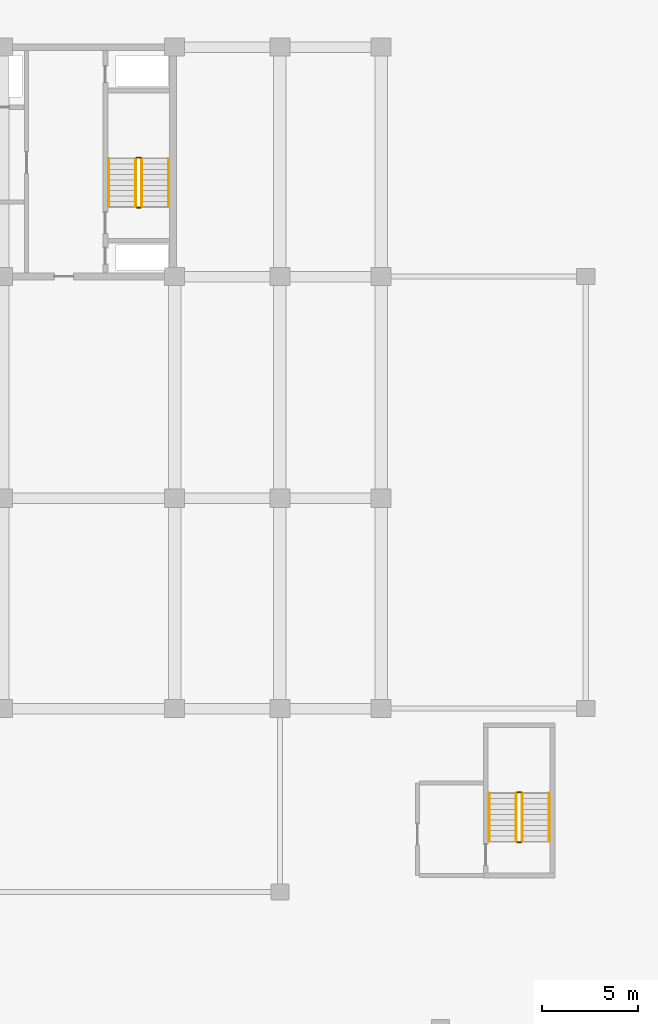
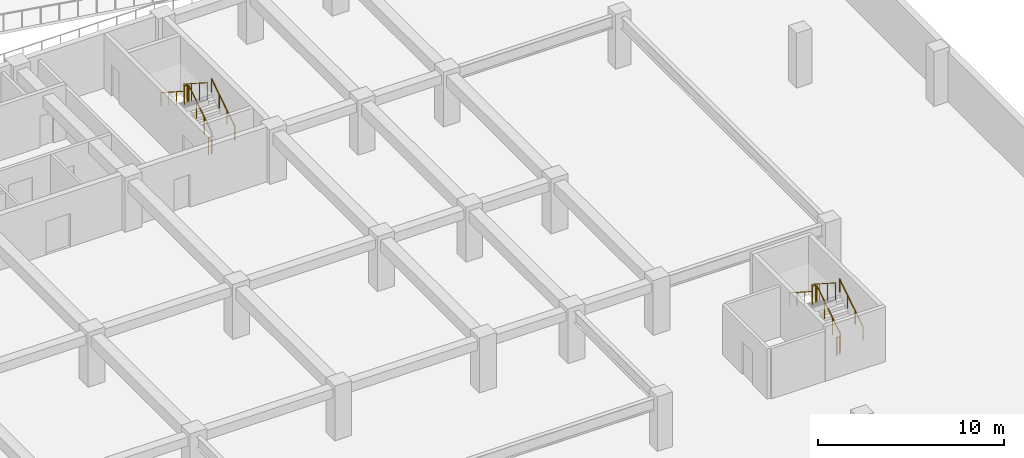
# One storey, part 17 of 22: 12 railings.
"""IFC4 building model written with IfcOpenShell, lengths in metres."""

from ifc_helpers import new_model, si_unit, direction, frame, origin, origin_2d, place, context, subcontext, project, spatial, circle, extrude, material, type_object, element, save


model = new_model("IFC4")

# Units and contexts
model_context = context("Model", 3, precision=1e-05, world=origin(), true_north=direction((0.0, 1.0)))
body_context = subcontext(model_context, "Body", "Model", "MODEL_VIEW")
ifc_project = project(units=[si_unit("LENGTHUNIT", "METRE"), si_unit("AREAUNIT", "SQUARE_METRE"), si_unit("VOLUMEUNIT", "CUBIC_METRE"), si_unit("PLANEANGLEUNIT", "RADIAN"), si_unit("MASSUNIT", "GRAM", prefix="KILO")], contexts=[model_context])

# Site, building, storey
site_placement = place(None, origin())
site = spatial("IfcSite", under=ifc_project, at=site_placement, CompositionType="ELEMENT")
building_placement = place(site_placement, origin())
building = spatial("IfcBuilding", under=site, at=building_placement, Name="Korimba Cascade Residences", CompositionType="ELEMENT")
storey_placement = place(building_placement, frame((0.0, 0.0, -7.199951171875)))
storey = spatial("IfcBuildingStorey", under=building, at=storey_placement, Name="B02", CompositionType="ELEMENT", Elevation=-7.199951171875)

# Railings
ifc_material_1 = material(Name="Painted Steel Stairwell Guardrail", Category="steel")
railing_type_1 = type_object("IfcRailingType", Name="RLG-ST-GD1150", PredefinedType="GUARDRAIL", material=ifc_material_1)
railing_1_placement = place(storey_placement, frame((116.3701171875, 22.050048828125, 0.179931640625)))
element("IfcRailing", 1, at=railing_1_placement, inside=storey, type_object=railing_type_1, Name="B02 ST-E2 stair guard 1", PredefinedType="GUARDRAIL", context=body_context, shape_type="SweptSolid", body=[
    extrude(circle(Radius=0.02392578125, at=origin_2d()), frame((0.0, 0.0, 1.1259765625), z_axis=(0.0, 0.841162588446, 0.540782303519), x_axis=(-1.0, 0.0, 0.0)), (0.0, 0.0, 1.0), 2.995849609375),
    extrude(circle(Radius=0.02099609375, at=origin_2d()), origin(), (0.0, 0.0, 1.0), 1.101806640625),
    extrude(circle(Radius=0.02099609375, at=origin_2d()), frame((0.0, 0.840087890625, 0.5400390625)), (0.0, 0.0, 1.0), 1.101806640625),
    extrude(circle(Radius=0.02099609375, at=origin_2d()), frame((0.0, 1.679931640625, 1.080078125)), (0.0, 0.0, 1.0), 1.101806640625),
    extrude(circle(Radius=0.02099609375, at=origin_2d()), frame((0.0, 2.52001953125, 1.6201171875)), (0.0, 0.0, 1.0), 1.101806640625),
])
railing_2_placement = place(storey_placement, frame((116.320068359375, 24.6201171875, 1.800048828125)))
element("IfcRailing", 2, at=railing_2_placement, inside=storey, type_object=railing_type_1, Name="B02 ST-E2 stair guard 2", PredefinedType="GUARDRAIL", context=body_context, shape_type="SweptSolid", body=[
    extrude(circle(Radius=0.02392578125, at=origin_2d()), frame((0.0, 0.0, 1.1259765625), z_axis=(-1.0, 0.0, 0.0), x_axis=(0.0, -1.0, 0.0)), (0.0, 0.0, 1.0), 0.199951171875),
    extrude(circle(Radius=0.02099609375, at=origin_2d()), origin(), (0.0, 0.0, 1.0), 1.101806640625),
    extrude(circle(Radius=0.02099609375, at=origin_2d()), frame((-0.199951171875, 0.0, 0.0)), (0.0, 0.0, 1.0), 1.101806640625),
])
railing_3_placement = place(storey_placement, frame((116.070068359375, 24.570068359375, 1.97998046875)))
element("IfcRailing", 3, at=railing_3_placement, inside=storey, type_object=railing_type_1, Name="B02 ST-E2 stair guard 3", PredefinedType="GUARDRAIL", context=body_context, shape_type="SweptSolid", body=[
    extrude(circle(Radius=0.02392578125, at=origin_2d()), frame((0.0, 0.0, 1.1259765625), z_axis=(0.0, -0.841199657755, 0.540724639528), x_axis=(1.0, 0.0, 0.0)), (0.0, 0.0, 1.0), 2.995849609375),
    extrude(circle(Radius=0.02099609375, at=origin_2d()), origin(), (0.0, 0.0, 1.0), 1.101806640625),
    extrude(circle(Radius=0.02099609375, at=origin_2d()), frame((0.0, -0.840087890625, 0.5400390625)), (0.0, 0.0, 1.0), 1.101806640625),
    extrude(circle(Radius=0.02099609375, at=origin_2d()), frame((0.0, -1.679931640625, 1.079833984375)), (0.0, 0.0, 1.0), 1.101806640625),
    extrude(circle(Radius=0.02099609375, at=origin_2d()), frame((0.0, -2.52001953125, 1.619873046875)), (0.0, 0.0, 1.0), 1.101806640625),
])
railing_4_placement = place(storey_placement, frame((116.320068359375, 22.0, 0.0)))
element("IfcRailing", 4, at=railing_4_placement, inside=storey, type_object=railing_type_1, Name="B02 ST-E2 stair guard 4", PredefinedType="GUARDRAIL", context=body_context, shape_type="SweptSolid", body=[
    extrude(circle(Radius=0.02392578125, at=origin_2d()), frame((0.0, 0.0, 1.1259765625), z_axis=(-1.0, 0.0, 0.0), x_axis=(0.0, -1.0, 0.0)), (0.0, 0.0, 1.0), 0.199951171875),
    extrude(circle(Radius=0.02099609375, at=origin_2d()), origin(), (0.0, 0.0, 1.0), 1.101806640625),
    extrude(circle(Radius=0.02099609375, at=origin_2d()), frame((-0.199951171875, 0.0, 0.0)), (0.0, 0.0, 1.0), 1.101806640625),
])
railing_5_placement = place(storey_placement, frame((136.27001953125, -11.14990234375, 0.179931640625)))
element("IfcRailing", 5, at=railing_5_placement, inside=storey, type_object=railing_type_1, Name="B02 ST-P6 stair guard 1", PredefinedType="GUARDRAIL", context=body_context, shape_type="SweptSolid", body=[
    extrude(circle(Radius=0.02392578125, at=origin_2d()), frame((0.0, 0.0, 1.1259765625), z_axis=(0.0, 0.841162588446, 0.540782303519), x_axis=(-1.0, 0.0, 0.0)), (0.0, 0.0, 1.0), 2.995849609375),
    extrude(circle(Radius=0.02099609375, at=origin_2d()), origin(), (0.0, 0.0, 1.0), 1.101806640625),
    extrude(circle(Radius=0.02099609375, at=origin_2d()), frame((0.0, 0.840087890625, 0.5400390625)), (0.0, 0.0, 1.0), 1.101806640625),
    extrude(circle(Radius=0.02099609375, at=origin_2d()), frame((0.0, 1.679931640625, 1.080078125)), (0.0, 0.0, 1.0), 1.101806640625),
    extrude(circle(Radius=0.02099609375, at=origin_2d()), frame((0.0, 2.52001953125, 1.6201171875)), (0.0, 0.0, 1.0), 1.101806640625),
])
railing_6_placement = place(storey_placement, frame((136.219970703125, -8.580078125, 1.800048828125)))
element("IfcRailing", 6, at=railing_6_placement, inside=storey, type_object=railing_type_1, Name="B02 ST-P6 stair guard 2", PredefinedType="GUARDRAIL", context=body_context, shape_type="SweptSolid", body=[
    extrude(circle(Radius=0.02392578125, at=origin_2d()), frame((0.0, 0.0, 1.1259765625), z_axis=(-1.0, 0.0, 0.0), x_axis=(0.0, -1.0, 0.0)), (0.0, 0.0, 1.0), 0.199951171875),
    extrude(circle(Radius=0.02099609375, at=origin_2d()), origin(), (0.0, 0.0, 1.0), 1.101806640625),
    extrude(circle(Radius=0.02099609375, at=origin_2d()), frame((-0.199951171875, 0.0, 0.0)), (0.0, 0.0, 1.0), 1.101806640625),
])
railing_7_placement = place(storey_placement, frame((135.969970703125, -8.6298828125, 1.97998046875)))
element("IfcRailing", 7, at=railing_7_placement, inside=storey, type_object=railing_type_1, Name="B02 ST-P6 stair guard 3", PredefinedType="GUARDRAIL", context=body_context, shape_type="SweptSolid", body=[
    extrude(circle(Radius=0.02392578125, at=origin_2d()), frame((0.0, 0.0, 1.1259765625), z_axis=(0.0, -0.841199657755, 0.540724639528), x_axis=(1.0, 0.0, 0.0)), (0.0, 0.0, 1.0), 2.995849609375),
    extrude(circle(Radius=0.02099609375, at=origin_2d()), origin(), (0.0, 0.0, 1.0), 1.101806640625),
    extrude(circle(Radius=0.02099609375, at=origin_2d()), frame((0.0, -0.840087890625, 0.5400390625)), (0.0, 0.0, 1.0), 1.101806640625),
    extrude(circle(Radius=0.02099609375, at=origin_2d()), frame((0.0, -1.679931640625, 1.079833984375)), (0.0, 0.0, 1.0), 1.101806640625),
    extrude(circle(Radius=0.02099609375, at=origin_2d()), frame((0.0, -2.52001953125, 1.619873046875)), (0.0, 0.0, 1.0), 1.101806640625),
])
railing_8_placement = place(storey_placement, frame((136.219970703125, -11.199951171875, 0.0)))
element("IfcRailing", 8, at=railing_8_placement, inside=storey, type_object=railing_type_1, Name="B02 ST-P6 stair guard 4", PredefinedType="GUARDRAIL", context=body_context, shape_type="SweptSolid", body=[
    extrude(circle(Radius=0.02392578125, at=origin_2d()), frame((0.0, 0.0, 1.1259765625), z_axis=(-1.0, 0.0, 0.0), x_axis=(0.0, -1.0, 0.0)), (0.0, 0.0, 1.0), 0.199951171875),
    extrude(circle(Radius=0.02099609375, at=origin_2d()), origin(), (0.0, 0.0, 1.0), 1.101806640625),
    extrude(circle(Radius=0.02099609375, at=origin_2d()), frame((-0.199951171875, 0.0, 0.0)), (0.0, 0.0, 1.0), 1.101806640625),
])
ifc_material_2 = material(Name="Brushed Stainless Steel Handrail", Category="steel")
railing_type_2 = type_object("IfcRailingType", Name="RLG-ST-HR900", PredefinedType="HANDRAIL", material=ifc_material_2)
railing_9_placement = place(storey_placement, frame((117.7900390625, 22.050048828125, 0.36376953125)))
element("IfcRailing", 9, at=railing_9_placement, inside=storey, type_object=railing_type_2, Name="B02 ST-E2 stair handrail 1", PredefinedType="HANDRAIL", context=body_context, shape_type="SweptSolid", body=[
    extrude(circle(Radius=0.02392578125, at=origin_2d()), frame((0.0, 0.0, 0.8759765625), z_axis=(0.0, 0.841199657755, 0.540724639528), x_axis=(-1.0, 0.0, 0.0)), (0.0, 0.0, 1.0), 2.995849609375),
    extrude(circle(Radius=0.02099609375, at=origin_2d()), origin(), (0.0, 0.0, 1.0), 0.851806640625),
    extrude(circle(Radius=0.02099609375, at=origin_2d()), frame((0.0, 0.840087890625, 0.5400390625)), (0.0, 0.0, 1.0), 0.851806640625),
    extrude(circle(Radius=0.02099609375, at=origin_2d()), frame((0.0, 1.679931640625, 1.079833984375)), (0.0, 0.0, 1.0), 0.851806640625),
    extrude(circle(Radius=0.02099609375, at=origin_2d()), frame((0.0, 2.52001953125, 1.619873046875)), (0.0, 0.0, 1.0), 0.851806640625),
])
railing_10_placement = place(storey_placement, frame((114.64990234375, 24.570068359375, 2.163818359375)))
element("IfcRailing", 10, at=railing_10_placement, inside=storey, type_object=railing_type_2, Name="B02 ST-E2 stair handrail 2", PredefinedType="HANDRAIL", context=body_context, shape_type="SweptSolid", body=[
    extrude(circle(Radius=0.02392578125, at=origin_2d()), frame((0.0, 0.0, 0.8759765625), z_axis=(0.0, -0.841199657755, 0.540724639528), x_axis=(1.0, 0.0, 0.0)), (0.0, 0.0, 1.0), 2.995849609375),
    extrude(circle(Radius=0.02099609375, at=origin_2d()), origin(), (0.0, 0.0, 1.0), 0.851806640625),
    extrude(circle(Radius=0.02099609375, at=origin_2d()), frame((0.0, -0.840087890625, 0.5400390625)), (0.0, 0.0, 1.0), 0.851806640625),
    extrude(circle(Radius=0.02099609375, at=origin_2d()), frame((0.0, -1.679931640625, 1.079833984375)), (0.0, 0.0, 1.0), 0.851806640625),
    extrude(circle(Radius=0.02099609375, at=origin_2d()), frame((0.0, -2.52001953125, 1.619873046875)), (0.0, 0.0, 1.0), 0.851806640625),
])
railing_11_placement = place(storey_placement, frame((137.68994140625, -11.14990234375, 0.36376953125)))
element("IfcRailing", 11, at=railing_11_placement, inside=storey, type_object=railing_type_2, Name="B02 ST-P6 stair handrail 1", PredefinedType="HANDRAIL", context=body_context, shape_type="SweptSolid", body=[
    extrude(circle(Radius=0.02392578125, at=origin_2d()), frame((0.0, 0.0, 0.8759765625), z_axis=(0.0, 0.841199657755, 0.540724639528), x_axis=(-1.0, 0.0, 0.0)), (0.0, 0.0, 1.0), 2.995849609375),
    extrude(circle(Radius=0.02099609375, at=origin_2d()), origin(), (0.0, 0.0, 1.0), 0.851806640625),
    extrude(circle(Radius=0.02099609375, at=origin_2d()), frame((0.0, 0.840087890625, 0.5400390625)), (0.0, 0.0, 1.0), 0.851806640625),
    extrude(circle(Radius=0.02099609375, at=origin_2d()), frame((0.0, 1.679931640625, 1.079833984375)), (0.0, 0.0, 1.0), 0.851806640625),
    extrude(circle(Radius=0.02099609375, at=origin_2d()), frame((0.0, 2.52001953125, 1.619873046875)), (0.0, 0.0, 1.0), 0.851806640625),
])
railing_12_placement = place(storey_placement, frame((134.550048828125, -8.6298828125, 2.163818359375)))
element("IfcRailing", 12, at=railing_12_placement, inside=storey, type_object=railing_type_2, Name="B02 ST-P6 stair handrail 2", PredefinedType="HANDRAIL", context=body_context, shape_type="SweptSolid", body=[
    extrude(circle(Radius=0.02392578125, at=origin_2d()), frame((0.0, 0.0, 0.8759765625), z_axis=(0.0, -0.841199657755, 0.540724639528), x_axis=(1.0, 0.0, 0.0)), (0.0, 0.0, 1.0), 2.995849609375),
    extrude(circle(Radius=0.02099609375, at=origin_2d()), origin(), (0.0, 0.0, 1.0), 0.851806640625),
    extrude(circle(Radius=0.02099609375, at=origin_2d()), frame((0.0, -0.840087890625, 0.5400390625)), (0.0, 0.0, 1.0), 0.851806640625),
    extrude(circle(Radius=0.02099609375, at=origin_2d()), frame((0.0, -1.679931640625, 1.079833984375)), (0.0, 0.0, 1.0), 0.851806640625),
    extrude(circle(Radius=0.02099609375, at=origin_2d()), frame((0.0, -2.52001953125, 1.619873046875)), (0.0, 0.0, 1.0), 0.851806640625),
])

save(model, "model.ifc")
